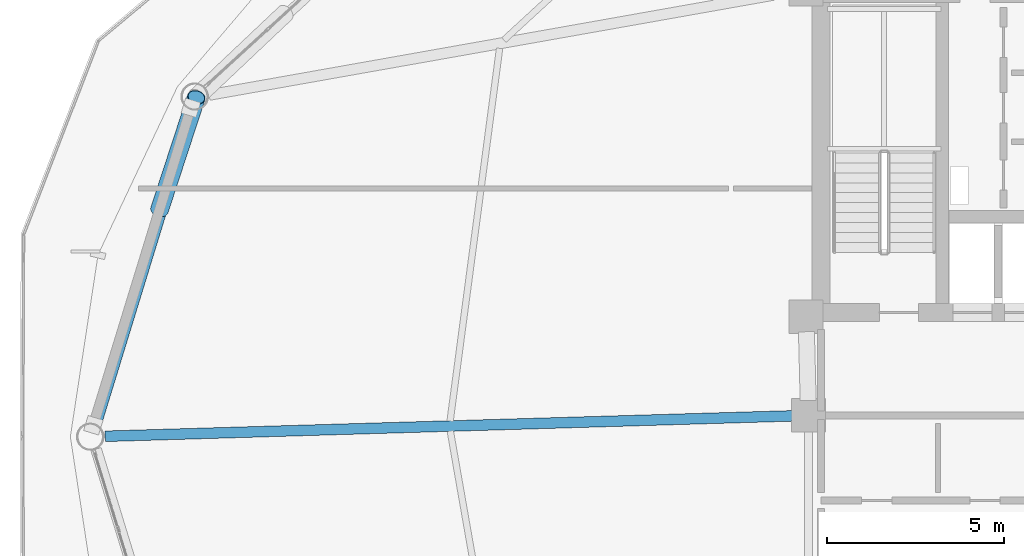
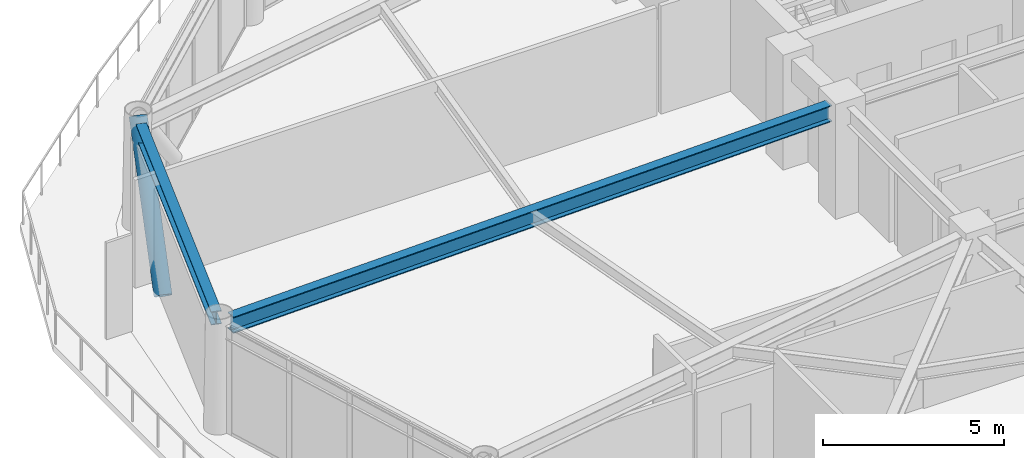
# One storey, part 9 of 23: 2 beams, 1 member.
"""IFC4 building model written with IfcOpenShell, lengths in metres."""

from ifc_helpers import new_model, si_unit, direction, frame, origin, origin_2d, place, context, subcontext, project, spatial, hollow_circle, i_section, extrude, material, material_profile, profile_set, type_object, element, save


model = new_model("IFC4")

# Units and contexts
model_context = context("Model", 3, precision=1e-05, world=origin(), true_north=direction((0.0, 1.0)))
body_context = subcontext(model_context, "Body", "Model", "MODEL_VIEW")
ifc_project = project(units=[si_unit("LENGTHUNIT", "METRE"), si_unit("AREAUNIT", "SQUARE_METRE"), si_unit("VOLUMEUNIT", "CUBIC_METRE"), si_unit("PLANEANGLEUNIT", "RADIAN"), si_unit("MASSUNIT", "GRAM", prefix="KILO")], contexts=[model_context])

# Site, building, storey
site_placement = place(None, origin())
site = spatial("IfcSite", under=ifc_project, at=site_placement, CompositionType="ELEMENT")
building_placement = place(site_placement, origin())
building = spatial("IfcBuilding", under=site, at=building_placement, Name="Varnakorn Sky Granary", CompositionType="ELEMENT")
storey_placement = place(building_placement, frame((0.0, 0.0, 130.5)))
storey = spatial("IfcBuildingStorey", under=building, at=storey_placement, Name="L32", CompositionType="ELEMENT", Elevation=130.5)

# Beams
ifc_material_1 = material(Name="Steel S355JR", Category="steel")
ifc_material_profile_1 = material_profile(ifc_material_1, i_section(OverallWidth=0.300048828125, OverallDepth=0.550048828125, WebThickness=0.014892578125, FlangeThickness=0.029052734375, at=origin_2d()), Name="HE 550 B")
ifc_profile_set_1 = profile_set([ifc_material_profile_1], Name="Steel S355JR")
beam_type_1 = type_object("IfcBeamType", Name="BM-RAD-Z3", PredefinedType="BEAM", material=ifc_profile_set_1)
beam_1_placement = place(storey_placement, frame((-2.769775390625, 0.58740234375, 3.364990234375), z_axis=(-0.999559535104, -0.029677192973, 0.0), x_axis=(0.029677192973, -0.999559535104, 0.0)))
element("IfcBeam", 1, at=beam_1_placement, inside=storey, type_object=beam_type_1, Name="Radial Floor Girder RG07 L32", PredefinedType="BEAM", context=body_context, shape_type="SweptSolid", body=[
    extrude(i_section(OverallWidth=0.300048828125, OverallDepth=0.550048828125, WebThickness=0.014892578125, FlangeThickness=0.029052734375, at=origin_2d()), origin(), (0.0, 0.0, 1.0), 19.4228515625),
])
ifc_material_profile_2 = material_profile(ifc_material_1, i_section(OverallWidth=0.300048828125, OverallDepth=0.449951171875, WebThickness=0.013916015625, FlangeThickness=0.02587890625, at=origin_2d()), Name="HE 450 B")
ifc_profile_set_2 = profile_set([ifc_material_profile_2], Name="Steel S355JR")
beam_type_2 = type_object("IfcBeamType", Name="BM-SPD-Z3", PredefinedType="SPANDREL", material=ifc_profile_set_2)
beam_2_placement = place(storey_placement, frame((-19.72021484375, 9.22216796875, 3.4150390625), z_axis=(-0.293344484103, -0.956006806276, 0.0), x_axis=(0.956006806276, -0.293344484103, 0.0)))
element("IfcBeam", 2, at=beam_2_placement, inside=storey, type_object=beam_type_2, Name="Perimeter Spandrel Ring Beam RB06 L32", PredefinedType="SPANDREL", context=body_context, shape_type="SweptSolid", body=[
    extrude(i_section(OverallWidth=0.300048828125, OverallDepth=0.449951171875, WebThickness=0.013916015625, FlangeThickness=0.02587890625, at=origin_2d()), origin(), (0.0, 0.0, 1.0), 9.280517578125),
])

# Member
ifc_material_2 = material(Name="Steel S460M", Category="steel")
ifc_material_profile_3 = material_profile(ifc_material_2, hollow_circle(Radius=0.25390625, WallThickness=0.01806640625, at=origin_2d()), Name="CHS 508x18")
ifc_profile_set_3 = profile_set([ifc_material_profile_3], Name="Steel S460M")
member_type = type_object("IfcMemberType", Name="MB-DIAG-T2", PredefinedType="BRACE", material=ifc_profile_set_3)
member_placement = place(storey_placement, frame((-20.65283203125, 6.39697265625, -0.1298828125), z_axis=(0.206469877333, 0.630314731153, 0.74838060467), x_axis=(-0.95031461847, 0.311291063028, 0.0)))
element("IfcMember", 3, at=member_placement, inside=storey, type_object=member_type, Name="Perimeter CHS Diagrid Brace DG06 L32", PredefinedType="BRACE", context=body_context, shape_type="SweptSolid", body=[
    extrude(hollow_circle(Radius=0.25390625, WallThickness=0.01806640625, at=origin_2d()), origin(), (0.0, 0.0, 1.0), 5.037353515625),
])

save(model, "model.ifc")
